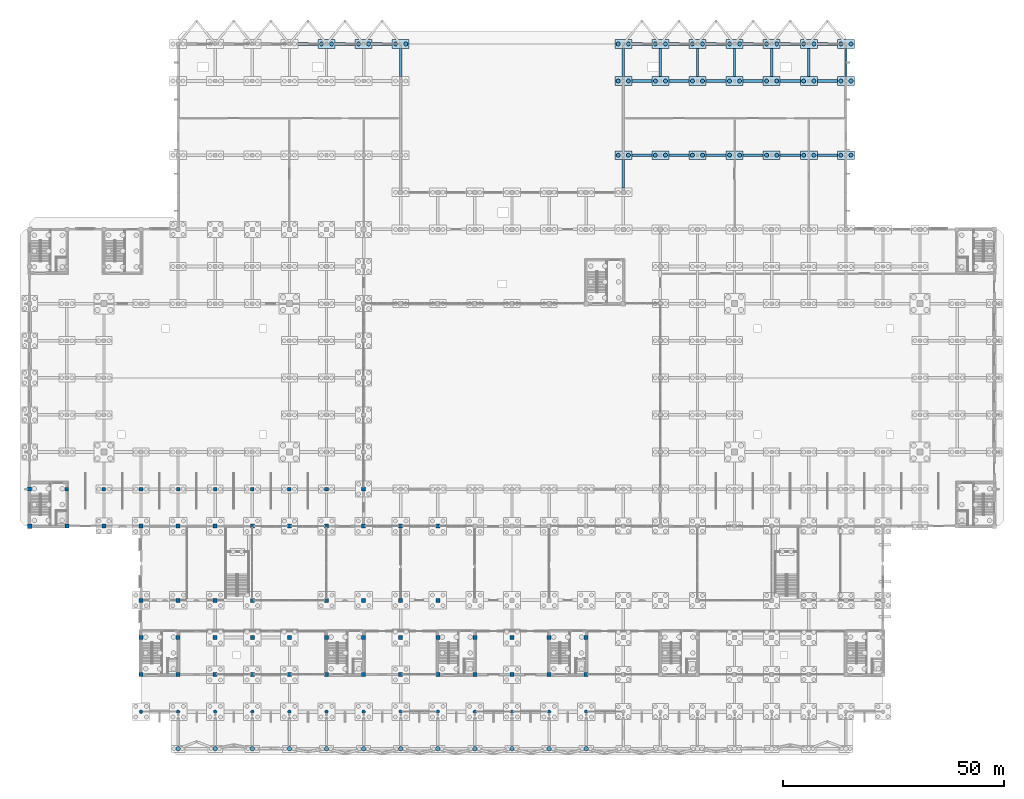
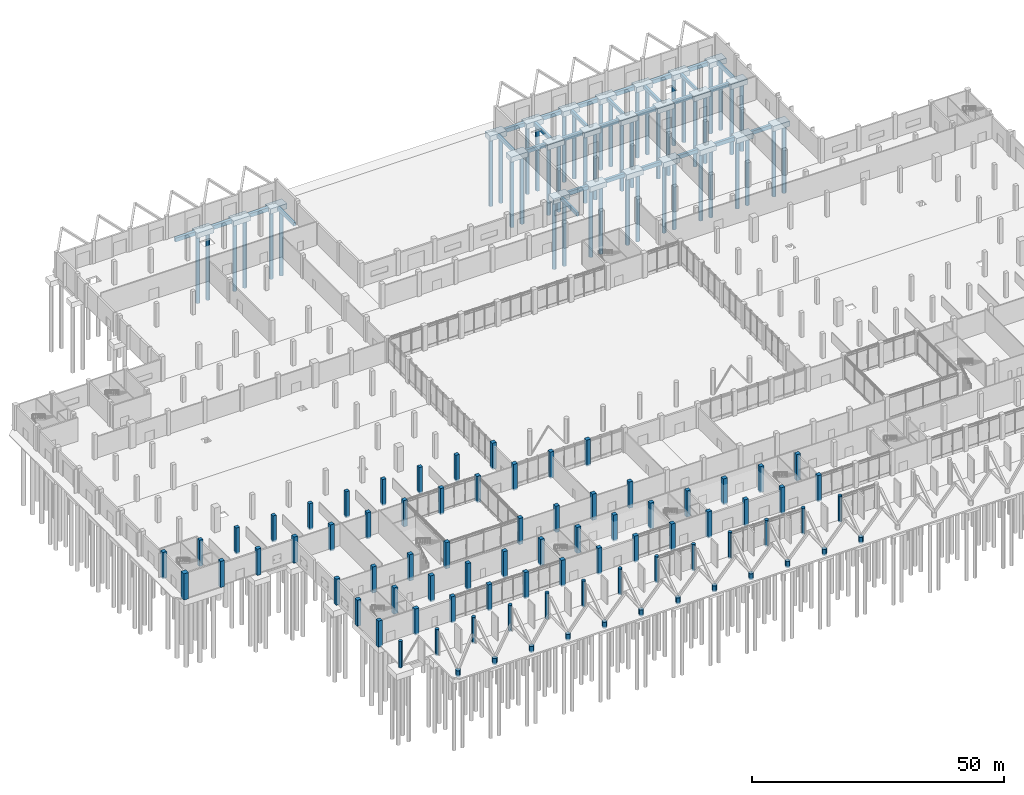
# One storey, part 12 of 72: 81 columns, 54 footings, 48 piles.
"""IFC4 building model written with IfcOpenShell, lengths in metres."""

from ifc_helpers import new_model, si_unit, direction, frame, origin, origin_2d, place, context, subcontext, project, spatial, rectangle, circle, extrude, material, layer, layer_set, material_profile, profile_set, type_object, element, save


model = new_model("IFC4")

# Units and contexts
model_context = context("Model", 3, precision=1e-05, world=origin(), true_north=direction((0.0, 1.0)))
body_context = subcontext(model_context, "Body", "Model", "MODEL_VIEW")
ifc_project = project(units=[si_unit("LENGTHUNIT", "METRE"), si_unit("AREAUNIT", "SQUARE_METRE"), si_unit("VOLUMEUNIT", "CUBIC_METRE"), si_unit("PLANEANGLEUNIT", "RADIAN"), si_unit("MASSUNIT", "GRAM", prefix="KILO")], contexts=[model_context])

# Site, building, storey
site_placement = place(None, origin())
site = spatial("IfcSite", under=ifc_project, at=site_placement, CompositionType="ELEMENT")
building_placement = place(site_placement, origin())
building = spatial("IfcBuilding", under=site, at=building_placement, Name="Qawsi Khor Wholesale Market", CompositionType="ELEMENT")
storey_placement = place(building_placement, origin())
storey = spatial("IfcBuildingStorey", under=building, at=storey_placement, Name="L00", CompositionType="ELEMENT", Elevation=0.0)

# Piles
ifc_material_1 = material(Name="Concrete C45/55", Category="concrete")
ifc_material_profile_1 = material_profile(ifc_material_1, circle(Radius=0.449951171875, at=origin_2d()), Name="PILE D900")
ifc_profile_set_1 = profile_set([ifc_material_profile_1], Name="Concrete C45/55")
pile_type = type_object("IfcPileType", Name="Bored Pile D900 C45/55", PredefinedType="BORED", material=ifc_profile_set_1)
for number, where, z_axis, x_axis, name in (
    (1, (66.050048828125, 151.199951171875, -1.5), (0.0, 0.0, -1.0), (1.0, 0.0, 0.0), "Bored pile 08_+18-1"),
    (2, (68.35009765625, 151.199951171875, -1.5), (0.0, 0.0, -1.0), (1.0, 0.0, 0.0), "Bored pile 08_+18-2"),
    (3, (74.449951171875, 151.199951171875, -1.5), (0.0, 0.0, -1.0), (1.0, 0.0, 0.0), "Bored pile 09_+18-1"),
    (4, (76.75, 151.199951171875, -1.5), (0.0, 0.0, -1.0), (1.0, 0.0, 0.0), "Bored pile 09_+18-2"),
    (5, (82.85009765625, 151.199951171875, -1.5), (0.0, 0.0, -1.0), (1.0, 0.0, 0.0), "Bored pile 10_+18-1"),
    (6, (85.14990234375, 151.199951171875, -1.5), (0.0, 0.0, -1.0), (1.0, 0.0, 0.0), "Bored pile 10_+18-2"),
    (7, (133.25, 126.0, -1.5), (0.0, 0.0, -1.0), (1.0, 0.0, 0.0), "Bored pile 16_+15-1"),
    (8, (135.550048828125, 126.0, -1.5), (0.0, 0.0, -1.0), (1.0, 0.0, 0.0), "Bored pile 16_+15-2"),
    (9, (133.25, 142.800048828125, -1.5), (0.0, 0.0, -1.0), (1.0, 0.0, 0.0), "Bored pile 16_+17-1"),
    (10, (135.550048828125, 142.800048828125, -1.5), (0.0, 0.0, -1.0), (1.0, 0.0, 0.0), "Bored pile 16_+17-2"),
    (11, (133.25, 151.199951171875, -1.5), (0.0, 0.0, -1.0), (1.0, 0.0, 0.0), "Bored pile 16_+18-1"),
    (12, (135.550048828125, 151.199951171875, -1.5), (0.0, 0.0, -1.0), (1.0, 0.0, 0.0), "Bored pile 16_+18-2"),
    (13, (141.64990234375, 126.0, -1.5), (0.0, 0.0, -1.0), (1.0, 0.0, 0.0), "Bored pile 17_+15-1"),
    (14, (143.949951171875, 126.0, -1.5), (0.0, 0.0, -1.0), (1.0, 0.0, 0.0), "Bored pile 17_+15-2"),
    (15, (141.64990234375, 142.800048828125, -1.5), (0.0, 0.0, -1.0), (1.0, 0.0, 0.0), "Bored pile 17_+17-1"),
    (16, (143.949951171875, 142.800048828125, -1.5), (0.0, 0.0, -1.0), (1.0, 0.0, 0.0), "Bored pile 17_+17-2"),
    (17, (141.64990234375, 151.199951171875, -1.5), (0.0, 0.0, -1.0), (1.0, 0.0, 0.0), "Bored pile 17_+18-1"),
    (18, (143.949951171875, 151.199951171875, -1.5), (0.0, 0.0, -1.0), (1.0, 0.0, 0.0), "Bored pile 17_+18-2"),
    (19, (150.050048828125, 126.0, -1.5), (0.0, 0.0, -1.0), (1.0, 0.0, 0.0), "Bored pile 18_+15-1"),
    (20, (152.35009765625, 126.0, -1.5), (0.0, 0.0, -1.0), (1.0, 0.0, 0.0), "Bored pile 18_+15-2"),
    (21, (150.050048828125, 142.800048828125, -1.5), (0.0, 0.0, -1.0), (1.0, 0.0, 0.0), "Bored pile 18_+17-1"),
    (22, (152.35009765625, 142.800048828125, -1.5), (0.0, 0.0, -1.0), (1.0, 0.0, 0.0), "Bored pile 18_+17-2"),
    (23, (150.050048828125, 151.199951171875, -1.5), (0.0, 0.0, -1.0), (1.0, 0.0, 0.0), "Bored pile 18_+18-1"),
    (24, (152.35009765625, 151.199951171875, -1.5), (0.0, 0.0, -1.0), (1.0, 0.0, 0.0), "Bored pile 18_+18-2"),
    (25, (158.449951171875, 126.0, -1.5), (0.0, 0.0, -1.0), (1.0, 0.0, 0.0), "Bored pile 19_+15-1"),
    (26, (160.75, 126.0, -1.5), (0.0, 0.0, -1.0), (1.0, 0.0, 0.0), "Bored pile 19_+15-2"),
    (27, (158.449951171875, 142.800048828125, -1.5), (0.0, 0.0, -1.0), (1.0, 0.0, 0.0), "Bored pile 19_+17-1"),
    (28, (160.75, 142.800048828125, -1.5), (0.0, 0.0, -1.0), (1.0, 0.0, 0.0), "Bored pile 19_+17-2"),
    (29, (158.449951171875, 151.199951171875, -1.5), (0.0, 0.0, -1.0), (1.0, 0.0, 0.0), "Bored pile 19_+18-1"),
    (30, (160.75, 151.199951171875, -1.5), (0.0, 0.0, -1.0), (1.0, 0.0, 0.0), "Bored pile 19_+18-2"),
    (31, (166.85009765625, 126.0, -1.5), (0.0, 0.0, -1.0), (1.0, 0.0, 0.0), "Bored pile 20_+15-1"),
    (32, (169.14990234375, 126.0, -1.5), (0.0, 0.0, -1.0), (1.0, 0.0, 0.0), "Bored pile 20_+15-2"),
    (33, (166.85009765625, 142.800048828125, -1.5), (0.0, 0.0, -1.0), (1.0, 0.0, 0.0), "Bored pile 20_+17-1"),
    (34, (169.14990234375, 142.800048828125, -1.5), (0.0, 0.0, -1.0), (1.0, 0.0, 0.0), "Bored pile 20_+17-2"),
    (35, (166.85009765625, 151.199951171875, -1.5), (0.0, 0.0, -1.0), (1.0, 0.0, 0.0), "Bored pile 20_+18-1"),
    (36, (169.14990234375, 151.199951171875, -1.5), (0.0, 0.0, -1.0), (1.0, 0.0, 0.0), "Bored pile 20_+18-2"),
    (37, (175.25, 126.0, -1.5), (0.0, 0.0, -1.0), (1.0, 0.0, 0.0), "Bored pile 21_+15-1"),
    (38, (177.550048828125, 126.0, -1.5), (0.0, 0.0, -1.0), (1.0, 0.0, 0.0), "Bored pile 21_+15-2"),
    (39, (175.25, 142.800048828125, -1.5), (0.0, 0.0, -1.0), (1.0, 0.0, 0.0), "Bored pile 21_+17-1"),
    (40, (177.550048828125, 142.800048828125, -1.5), (0.0, 0.0, -1.0), (1.0, 0.0, 0.0), "Bored pile 21_+17-2"),
    (41, (175.25, 151.199951171875, -1.5), (0.0, 0.0, -1.0), (1.0, 0.0, 0.0), "Bored pile 21_+18-1"),
    (42, (177.550048828125, 151.199951171875, -1.5), (0.0, 0.0, -1.0), (1.0, 0.0, 0.0), "Bored pile 21_+18-2"),
    (43, (183.64990234375, 126.0, -1.5), (0.0, 0.0, -1.0), (1.0, 0.0, 0.0), "Bored pile 22_+15-1"),
    (44, (185.949951171875, 126.0, -1.5), (0.0, 0.0, -1.0), (1.0, 0.0, 0.0), "Bored pile 22_+15-2"),
    (45, (183.64990234375, 142.800048828125, -1.5), (0.0, 0.0, -1.0), (1.0, 0.0, 0.0), "Bored pile 22_+17-1"),
    (46, (185.949951171875, 142.800048828125, -1.5), (0.0, 0.0, -1.0), (1.0, 0.0, 0.0), "Bored pile 22_+17-2"),
    (47, (183.64990234375, 151.199951171875, -1.5), (0.0, 0.0, -1.0), (1.0, 0.0, 0.0), "Bored pile 22_+18-1"),
    (48, (185.949951171875, 151.199951171875, -1.5), (0.0, 0.0, -1.0), (1.0, 0.0, 0.0), "Bored pile 22_+18-2"),
):
    element("IfcPile", number, at=place(storey_placement, frame(where, z_axis=z_axis, x_axis=x_axis)), inside=storey, type_object=pile_type, Name=name, PredefinedType="BORED", context=body_context, shape_type="SweptSolid", body=[
        extrude(circle(Radius=0.449951171875, at=origin_2d()), origin(), (0.0, 0.0, 1.0), 16.5),
    ])

# Footings
ifc_material_profile_2 = material_profile(ifc_material_1, rectangle(XDim=0.64990234375, YDim=0.949951171875, at=origin_2d()), Name="RC 650x950")
ifc_profile_set_2 = profile_set([ifc_material_profile_2], Name="Concrete C45/55")
footing_type_1 = type_object("IfcFootingType", Name="Cold-Store Strip Footing SF 650x950", PredefinedType="STRIP_FOOTING", material=ifc_profile_set_2)
footing_1_placement = place(storey_placement, frame((60.72509765625, 151.199951171875, -0.864990234375), z_axis=(1.0, 0.0, 0.0), x_axis=(0.0, 1.0, 0.0)))
element("IfcFooting", 49, at=footing_1_placement, inside=storey, type_object=footing_type_1, Name="Ground tie-beam X 7-8 at Y=151.2", PredefinedType="STRIP_FOOTING", context=body_context, shape_type="SweptSolid", body=[
    extrude(rectangle(XDim=0.64990234375, YDim=0.949951171875, at=origin_2d()), origin(), (0.0, 0.0, 1.0), 4.5498046875),
])
for number, where, z_axis, x_axis, name in (
    (50, (69.125, 151.199951171875, -0.864990234375), (1.0, 0.0, 0.0), (0.0, 1.0, 0.0), "Ground tie-beam X 8-9 at Y=151.2"),
    (51, (77.52490234375, 151.199951171875, -0.864990234375), (1.0, 0.0, 0.0), (0.0, 1.0, 0.0), "Ground tie-beam X 9-10 at Y=151.2"),
    (52, (136.324951171875, 151.199951171875, -0.864990234375), (1.0, 0.0, 0.0), (0.0, 1.0, 0.0), "Ground tie-beam X 16-17 at Y=151.2"),
):
    element("IfcFooting", number, at=place(storey_placement, frame(where, z_axis=z_axis, x_axis=x_axis)), inside=storey, type_object=footing_type_1, Name=name, PredefinedType="STRIP_FOOTING", context=body_context, shape_type="SweptSolid", body=[
        extrude(rectangle(XDim=0.64990234375, YDim=0.949951171875, at=origin_2d()), origin(), (0.0, 0.0, 1.0), 4.550048828125),
    ])
footing_2_placement = place(storey_placement, frame((144.72509765625, 151.199951171875, -0.864990234375), z_axis=(1.0, 0.0, 0.0), x_axis=(0.0, 1.0, 0.0)))
element("IfcFooting", 53, at=footing_2_placement, inside=storey, type_object=footing_type_1, Name="Ground tie-beam X 17-18 at Y=151.2", PredefinedType="STRIP_FOOTING", context=body_context, shape_type="SweptSolid", body=[
    extrude(rectangle(XDim=0.64990234375, YDim=0.949951171875, at=origin_2d()), origin(), (0.0, 0.0, 1.0), 4.5498046875),
])
for number, where, z_axis, x_axis, name in (
    (54, (153.125, 151.199951171875, -0.864990234375), (1.0, 0.0, 0.0), (0.0, 1.0, 0.0), "Ground tie-beam X 18-19 at Y=151.2"),
    (55, (161.52490234375, 151.199951171875, -0.864990234375), (1.0, 0.0, 0.0), (0.0, 1.0, 0.0), "Ground tie-beam X 19-20 at Y=151.2"),
    (56, (169.925048828125, 151.199951171875, -0.864990234375), (1.0, 0.0, 0.0), (0.0, 1.0, 0.0), "Ground tie-beam X 20-21 at Y=151.2"),
    (57, (178.324951171875, 151.199951171875, -0.864990234375), (1.0, 0.0, 0.0), (0.0, 1.0, 0.0), "Ground tie-beam X 21-22 at Y=151.2"),
):
    element("IfcFooting", number, at=place(storey_placement, frame(where, z_axis=z_axis, x_axis=x_axis)), inside=storey, type_object=footing_type_1, Name=name, PredefinedType="STRIP_FOOTING", context=body_context, shape_type="SweptSolid", body=[
        extrude(rectangle(XDim=0.64990234375, YDim=0.949951171875, at=origin_2d()), origin(), (0.0, 0.0, 1.0), 4.550048828125),
    ])
ifc_material_profile_3 = material_profile(ifc_material_1, rectangle(XDim=0.60009765625, YDim=0.89990234375, at=origin_2d()), Name="RC 600x900")
ifc_profile_set_3 = profile_set([ifc_material_profile_3], Name="Concrete C45/55")
footing_type_2 = type_object("IfcFootingType", Name="Ground Tie-Beam GTB 600x900", PredefinedType="FOOTING_BEAM", material=ifc_profile_set_3)
for number, where, z_axis, x_axis, name in (
    (58, (136.324951171875, 126.0, -0.840087890625), (1.0, 0.0, 0.0), (0.0, 1.0, 0.0), "Ground tie-beam X 16-17 at Y=126.0"),
    (59, (136.324951171875, 142.800048828125, -0.840087890625), (1.0, 0.0, 0.0), (0.0, 1.0, 0.0), "Ground tie-beam X 16-17 at Y=142.8"),
):
    element("IfcFooting", number, at=place(storey_placement, frame(where, z_axis=z_axis, x_axis=x_axis)), inside=storey, type_object=footing_type_2, Name=name, PredefinedType="FOOTING_BEAM", context=body_context, shape_type="SweptSolid", body=[
        extrude(rectangle(XDim=0.60009765625, YDim=0.89990234375, at=origin_2d()), origin(), (0.0, 0.0, 1.0), 4.550048828125),
    ])
for number, where, z_axis, x_axis, name in (
    (60, (144.72509765625, 126.0, -0.840087890625), (1.0, 0.0, 0.0), (0.0, 1.0, 0.0), "Ground tie-beam X 17-18 at Y=126.0"),
    (61, (144.72509765625, 142.800048828125, -0.840087890625), (1.0, 0.0, 0.0), (0.0, 1.0, 0.0), "Ground tie-beam X 17-18 at Y=142.8"),
):
    element("IfcFooting", number, at=place(storey_placement, frame(where, z_axis=z_axis, x_axis=x_axis)), inside=storey, type_object=footing_type_2, Name=name, PredefinedType="FOOTING_BEAM", context=body_context, shape_type="SweptSolid", body=[
        extrude(rectangle(XDim=0.60009765625, YDim=0.89990234375, at=origin_2d()), origin(), (0.0, 0.0, 1.0), 4.5498046875),
    ])
for number, where, z_axis, x_axis, name in (
    (62, (153.125, 126.0, -0.840087890625), (1.0, 0.0, 0.0), (0.0, 1.0, 0.0), "Ground tie-beam X 18-19 at Y=126.0"),
    (63, (153.125, 142.800048828125, -0.840087890625), (1.0, 0.0, 0.0), (0.0, 1.0, 0.0), "Ground tie-beam X 18-19 at Y=142.8"),
    (64, (161.52490234375, 126.0, -0.840087890625), (1.0, 0.0, 0.0), (0.0, 1.0, 0.0), "Ground tie-beam X 19-20 at Y=126.0"),
    (65, (161.52490234375, 142.800048828125, -0.840087890625), (1.0, 0.0, 0.0), (0.0, 1.0, 0.0), "Ground tie-beam X 19-20 at Y=142.8"),
    (66, (169.925048828125, 126.0, -0.840087890625), (1.0, 0.0, 0.0), (0.0, 1.0, 0.0), "Ground tie-beam X 20-21 at Y=126.0"),
    (67, (169.925048828125, 142.800048828125, -0.840087890625), (1.0, 0.0, 0.0), (0.0, 1.0, 0.0), "Ground tie-beam X 20-21 at Y=142.8"),
    (68, (178.324951171875, 126.0, -0.840087890625), (1.0, 0.0, 0.0), (0.0, 1.0, 0.0), "Ground tie-beam X 21-22 at Y=126.0"),
    (69, (178.324951171875, 142.800048828125, -0.840087890625), (1.0, 0.0, 0.0), (0.0, 1.0, 0.0), "Ground tie-beam X 21-22 at Y=142.8"),
):
    element("IfcFooting", number, at=place(storey_placement, frame(where, z_axis=z_axis, x_axis=x_axis)), inside=storey, type_object=footing_type_2, Name=name, PredefinedType="FOOTING_BEAM", context=body_context, shape_type="SweptSolid", body=[
        extrude(rectangle(XDim=0.60009765625, YDim=0.89990234375, at=origin_2d()), origin(), (0.0, 0.0, 1.0), 4.550048828125),
    ])
ifc_material_profile_4 = material_profile(ifc_material_1, rectangle(XDim=0.5, YDim=0.800048828125, at=origin_2d()), Name="RC 500x800")
ifc_profile_set_4 = profile_set([ifc_material_profile_4], Name="Concrete C45/55")
footing_type_3 = type_object("IfcFootingType", Name="Hall Tie-Beam GTB 500x800", PredefinedType="FOOTING_BEAM", material=ifc_profile_set_4)
for number, where, z_axis, x_axis, name in (
    (70, (151.199951171875, 143.800048828125, -0.7900390625), (0.0, 1.0, 0.0), (-1.0, 0.0, 0.0), "Ground tie-beam Y 17-18 at X=151.2"),
    (71, (159.60009765625, 143.800048828125, -0.7900390625), (0.0, 1.0, 0.0), (-1.0, 0.0, 0.0), "Ground tie-beam Y 17-18 at X=159.6"),
    (72, (168.0, 143.800048828125, -0.7900390625), (0.0, 1.0, 0.0), (-1.0, 0.0, 0.0), "Ground tie-beam Y 17-18 at X=168.0"),
    (73, (176.39990234375, 143.800048828125, -0.7900390625), (0.0, 1.0, 0.0), (-1.0, 0.0, 0.0), "Ground tie-beam Y 17-18 at X=176.4"),
    (74, (184.800048828125, 143.800048828125, -0.7900390625), (0.0, 1.0, 0.0), (-1.0, 0.0, 0.0), "Ground tie-beam Y 17-18 at X=184.8"),
):
    element("IfcFooting", number, at=place(storey_placement, frame(where, z_axis=z_axis, x_axis=x_axis)), inside=storey, type_object=footing_type_3, Name=name, PredefinedType="FOOTING_BEAM", context=body_context, shape_type="SweptSolid", body=[
        extrude(rectangle(XDim=0.5, YDim=0.800048828125, at=origin_2d()), origin(), (0.0, 0.0, 1.0), 6.39990234375),
    ])
ifc_material_profile_5 = material_profile(ifc_material_1, rectangle(XDim=0.550048828125, YDim=0.85009765625, at=origin_2d()), Name="RC 550x850")
ifc_profile_set_5 = profile_set([ifc_material_profile_5], Name="Concrete C45/55")
footing_type_4 = type_object("IfcFootingType", Name="Internal Tie-Beam GTB 550x850", PredefinedType="FOOTING_BEAM", material=ifc_profile_set_5)
for number, where, z_axis, x_axis, name in (
    (75, (84.0, 143.800048828125, -0.81494140625), (0.0, 1.0, 0.0), (-1.0, 0.0, 0.0), "Ground tie-beam Y 17-18 at X=84.0"),
    (76, (134.39990234375, 118.60009765625, -0.81494140625), (0.0, 1.0, 0.0), (-1.0, 0.0, 0.0), "Ground tie-beam Y 14-15 at X=134.4"),
    (77, (134.39990234375, 143.800048828125, -0.81494140625), (0.0, 1.0, 0.0), (-1.0, 0.0, 0.0), "Ground tie-beam Y 17-18 at X=134.4"),
    (78, (142.800048828125, 143.800048828125, -0.81494140625), (0.0, 1.0, 0.0), (-1.0, 0.0, 0.0), "Ground tie-beam Y 17-18 at X=142.8"),
):
    element("IfcFooting", number, at=place(storey_placement, frame(where, z_axis=z_axis, x_axis=x_axis)), inside=storey, type_object=footing_type_4, Name=name, PredefinedType="FOOTING_BEAM", context=body_context, shape_type="SweptSolid", body=[
        extrude(rectangle(XDim=0.550048828125, YDim=0.85009765625, at=origin_2d()), origin(), (0.0, 0.0, 1.0), 6.39990234375),
    ])
ifc_layer = layer(ifc_material_1, 1.25, Name="Concrete C45/55")
ifc_layer_set = layer_set([ifc_layer], Name="Concrete C45/55")
footing_type_5 = type_object("IfcFootingType", Name="Pile Cap PC-2H 3850x2000x1250", PredefinedType="PILE_CAP", material=ifc_layer_set)
for number, where, z_axis, x_axis, name in (
    (79, (67.199951171875, 151.199951171875, -1.610107421875), (0.0, 0.0, 1.0), (1.0, 0.0, 0.0), "Two-pile cap 08_+18"),
    (80, (75.60009765625, 151.199951171875, -1.610107421875), (0.0, 0.0, 1.0), (1.0, 0.0, 0.0), "Two-pile cap 09_+18"),
    (81, (84.0, 151.199951171875, -1.610107421875), (0.0, 0.0, 1.0), (1.0, 0.0, 0.0), "Two-pile cap 10_+18"),
    (82, (134.39990234375, 126.0, -1.610107421875), (0.0, 0.0, 1.0), (1.0, 0.0, 0.0), "Two-pile cap 16_+15"),
    (83, (134.39990234375, 142.800048828125, -1.610107421875), (0.0, 0.0, 1.0), (1.0, 0.0, 0.0), "Two-pile cap 16_+17"),
    (84, (134.39990234375, 151.199951171875, -1.610107421875), (0.0, 0.0, 1.0), (1.0, 0.0, 0.0), "Two-pile cap 16_+18"),
    (85, (142.800048828125, 126.0, -1.610107421875), (0.0, 0.0, 1.0), (1.0, 0.0, 0.0), "Two-pile cap 17_+15"),
    (86, (142.800048828125, 142.800048828125, -1.610107421875), (0.0, 0.0, 1.0), (1.0, 0.0, 0.0), "Two-pile cap 17_+17"),
    (87, (142.800048828125, 151.199951171875, -1.610107421875), (0.0, 0.0, 1.0), (1.0, 0.0, 0.0), "Two-pile cap 17_+18"),
    (88, (151.199951171875, 126.0, -1.610107421875), (0.0, 0.0, 1.0), (1.0, 0.0, 0.0), "Two-pile cap 18_+15"),
    (89, (151.199951171875, 142.800048828125, -1.610107421875), (0.0, 0.0, 1.0), (1.0, 0.0, 0.0), "Two-pile cap 18_+17"),
    (90, (151.199951171875, 151.199951171875, -1.610107421875), (0.0, 0.0, 1.0), (1.0, 0.0, 0.0), "Two-pile cap 18_+18"),
    (91, (159.60009765625, 126.0, -1.610107421875), (0.0, 0.0, 1.0), (1.0, 0.0, 0.0), "Two-pile cap 19_+15"),
    (92, (159.60009765625, 142.800048828125, -1.610107421875), (0.0, 0.0, 1.0), (1.0, 0.0, 0.0), "Two-pile cap 19_+17"),
    (93, (159.60009765625, 151.199951171875, -1.610107421875), (0.0, 0.0, 1.0), (1.0, 0.0, 0.0), "Two-pile cap 19_+18"),
    (94, (168.0, 126.0, -1.610107421875), (0.0, 0.0, 1.0), (1.0, 0.0, 0.0), "Two-pile cap 20_+15"),
    (95, (168.0, 142.800048828125, -1.610107421875), (0.0, 0.0, 1.0), (1.0, 0.0, 0.0), "Two-pile cap 20_+17"),
    (96, (168.0, 151.199951171875, -1.610107421875), (0.0, 0.0, 1.0), (1.0, 0.0, 0.0), "Two-pile cap 20_+18"),
    (97, (176.39990234375, 126.0, -1.610107421875), (0.0, 0.0, 1.0), (1.0, 0.0, 0.0), "Two-pile cap 21_+15"),
    (98, (176.39990234375, 142.800048828125, -1.610107421875), (0.0, 0.0, 1.0), (1.0, 0.0, 0.0), "Two-pile cap 21_+17"),
    (99, (176.39990234375, 151.199951171875, -1.610107421875), (0.0, 0.0, 1.0), (1.0, 0.0, 0.0), "Two-pile cap 21_+18"),
    (100, (184.800048828125, 126.0, -1.610107421875), (0.0, 0.0, 1.0), (1.0, 0.0, 0.0), "Two-pile cap 22_+15"),
    (101, (184.800048828125, 142.800048828125, -1.610107421875), (0.0, 0.0, 1.0), (1.0, 0.0, 0.0), "Two-pile cap 22_+17"),
    (102, (184.800048828125, 151.199951171875, -1.610107421875), (0.0, 0.0, 1.0), (1.0, 0.0, 0.0), "Two-pile cap 22_+18"),
):
    element("IfcFooting", number, at=place(storey_placement, frame(where, z_axis=z_axis, x_axis=x_axis)), inside=storey, type_object=footing_type_5, Name=name, PredefinedType="PILE_CAP", context=body_context, shape_type="SweptSolid", body=[
        extrude(rectangle(XDim=3.85009765625, YDim=2.0, at=origin_2d()), origin(), (0.0, 0.0, 1.0), 1.25),
    ])

# Columns
ifc_material_2 = material(Name="Concrete C40/50", Category="concrete")
ifc_material_profile_6 = material_profile(ifc_material_2, circle(Radius=0.39990234375, at=origin_2d()), Name="RC COL D800")
ifc_profile_set_6 = profile_set([ifc_material_profile_6], Name="Concrete C40/50")
column_type_1 = type_object("IfcColumnType", Name="Arcade Pier D800", PredefinedType="COLUMN", material=ifc_profile_set_6)
for number, where, z_axis, x_axis, name in (
    (103, (25.199951171875, 0.0, -0.360107421875), (0.0, 0.0, 1.0), (1.0, 0.0, 0.0), "Arcade Pier D800 L00 (3,0)"),
    (104, (33.60009765625, 0.0, -0.360107421875), (0.0, 0.0, 1.0), (1.0, 0.0, 0.0), "Arcade Pier D800 L00 (4,0)"),
    (105, (42.0, 0.0, -0.360107421875), (0.0, 0.0, 1.0), (1.0, 0.0, 0.0), "Arcade Pier D800 L00 (5,0)"),
    (106, (50.39990234375, 0.0, -0.360107421875), (0.0, 0.0, 1.0), (1.0, 0.0, 0.0), "Arcade Pier D800 L00 (6,0)"),
    (107, (58.800048828125, 0.0, -0.360107421875), (0.0, 0.0, 1.0), (1.0, 0.0, 0.0), "Arcade Pier D800 L00 (7,0)"),
    (108, (67.199951171875, 0.0, -0.360107421875), (0.0, 0.0, 1.0), (1.0, 0.0, 0.0), "Arcade Pier D800 L00 (8,0)"),
    (109, (75.60009765625, 0.0, -0.360107421875), (0.0, 0.0, 1.0), (1.0, 0.0, 0.0), "Arcade Pier D800 L00 (9,0)"),
    (110, (84.0, 0.0, -0.360107421875), (0.0, 0.0, 1.0), (1.0, 0.0, 0.0), "Arcade Pier D800 L00 (10,0)"),
    (111, (92.39990234375, 0.0, -0.360107421875), (0.0, 0.0, 1.0), (1.0, 0.0, 0.0), "Arcade Pier D800 L00 (11,0)"),
    (112, (100.800048828125, 0.0, -0.360107421875), (0.0, 0.0, 1.0), (1.0, 0.0, 0.0), "Arcade Pier D800 L00 (12,0)"),
    (113, (109.199951171875, 0.0, -0.360107421875), (0.0, 0.0, 1.0), (1.0, 0.0, 0.0), "Arcade Pier D800 L00 (13,0)"),
    (114, (117.60009765625, 0.0, -0.360107421875), (0.0, 0.0, 1.0), (1.0, 0.0, 0.0), "Arcade Pier D800 L00 (14,0)"),
    (115, (126.0, 0.0, -0.360107421875), (0.0, 0.0, 1.0), (1.0, 0.0, 0.0), "Arcade Pier D800 L00 (15,0)"),
):
    element("IfcColumn", number, at=place(storey_placement, frame(where, z_axis=z_axis, x_axis=x_axis)), inside=storey, type_object=column_type_1, Name=name, PredefinedType="COLUMN", context=body_context, shape_type="SweptSolid", body=[
        extrude(circle(Radius=0.39990234375, at=origin_2d()), origin(), (0.0, 0.0, 1.0), 6.360107421875),
    ])
ifc_material_profile_7 = material_profile(ifc_material_2, rectangle(XDim=1.10009765625, YDim=1.10009765625, at=origin_2d()), Name="RC 1100x1100")
ifc_profile_set_7 = profile_set([ifc_material_profile_7], Name="Concrete C40/50")
column_type_2 = type_object("IfcColumnType", Name="Column RC 1100x1100", PredefinedType="COLUMN", material=ifc_profile_set_7)
column_placement = place(storey_placement, frame((0.0, 42.0, -0.360107421875), z_axis=(0.0, 0.0, 1.0), x_axis=(1.0, 0.0, 0.0)))
element("IfcColumn", 116, at=column_placement, inside=storey, type_object=column_type_2, Name="Column RC 1100x1100 L00 (0,5)", PredefinedType="COLUMN", context=body_context, shape_type="SweptSolid", body=[
    extrude(rectangle(XDim=1.10009765625, YDim=1.10009765625, at=origin_2d()), origin(), (0.0, 0.0, 1.0), 6.360107421875),
])
ifc_material_profile_8 = material_profile(ifc_material_2, rectangle(XDim=0.800048828125, YDim=0.800048828125, at=origin_2d()), Name="RC 800x800")
ifc_profile_set_8 = profile_set([ifc_material_profile_8], Name="Concrete C40/50")
column_type_3 = type_object("IfcColumnType", Name="Column RC 800x800", PredefinedType="COLUMN", material=ifc_profile_set_8)
for number, where, z_axis, x_axis, name in (
    (117, (8.39990234375, 50.39990234375, -0.360107421875), (0.0, 0.0, 1.0), (1.0, 0.0, 0.0), "Column RC 800x800 L00 (1,6)"),
    (118, (16.800048828125, 50.39990234375, -0.360107421875), (0.0, 0.0, 1.0), (1.0, 0.0, 0.0), "Column RC 800x800 L00 (2,6)"),
    (119, (25.199951171875, 50.39990234375, -0.360107421875), (0.0, 0.0, 1.0), (1.0, 0.0, 0.0), "Column RC 800x800 L00 (3,6)"),
    (120, (33.60009765625, 50.39990234375, -0.360107421875), (0.0, 0.0, 1.0), (1.0, 0.0, 0.0), "Column RC 800x800 L00 (4,6)"),
    (121, (42.0, 50.39990234375, -0.360107421875), (0.0, 0.0, 1.0), (1.0, 0.0, 0.0), "Column RC 800x800 L00 (5,6)"),
    (122, (50.39990234375, 50.39990234375, -0.360107421875), (0.0, 0.0, 1.0), (1.0, 0.0, 0.0), "Column RC 800x800 L00 (6,6)"),
    (123, (58.800048828125, 50.39990234375, -0.360107421875), (0.0, 0.0, 1.0), (1.0, 0.0, 0.0), "Column RC 800x800 L00 (7,6)"),
    (124, (67.199951171875, 50.39990234375, -0.360107421875), (0.0, 0.0, 1.0), (1.0, 0.0, 0.0), "Column RC 800x800 L00 (8,6)"),
):
    element("IfcColumn", number, at=place(storey_placement, frame(where, z_axis=z_axis, x_axis=x_axis)), inside=storey, type_object=column_type_3, Name=name, PredefinedType="COLUMN", context=body_context, shape_type="SweptSolid", body=[
        extrude(rectangle(XDim=0.800048828125, YDim=0.800048828125, at=origin_2d()), origin(), (0.0, 0.0, 1.0), 6.360107421875),
    ])
ifc_material_profile_9 = material_profile(ifc_material_2, rectangle(XDim=0.89990234375, YDim=0.89990234375, at=origin_2d()), Name="RC 900x900")
ifc_profile_set_9 = profile_set([ifc_material_profile_9], Name="Concrete C40/50")
column_type_4 = type_object("IfcColumnType", Name="Column RC 900x900", PredefinedType="COLUMN", material=ifc_profile_set_9)
for number, where, z_axis, x_axis, name in (
    (125, (0.0, 50.39990234375, -0.360107421875), (0.0, 0.0, 1.0), (1.0, 0.0, 0.0), "Column RC 900x900 L00 (0,6)"),
    (126, (8.39990234375, 42.0, -0.360107421875), (0.0, 0.0, 1.0), (1.0, 0.0, 0.0), "Column RC 900x900 L00 (1,5)"),
    (127, (16.800048828125, 42.0, -0.360107421875), (0.0, 0.0, 1.0), (1.0, 0.0, 0.0), "Column RC 900x900 L00 (2,5)"),
    (128, (25.199951171875, 8.39990234375, -0.360107421875), (0.0, 0.0, 1.0), (1.0, 0.0, 0.0), "Column RC 900x900 L00 (3,1)"),
    (129, (25.199951171875, 16.800048828125, -0.360107421875), (0.0, 0.0, 1.0), (1.0, 0.0, 0.0), "Column RC 900x900 L00 (3,2)"),
    (130, (25.199951171875, 25.199951171875, -0.360107421875), (0.0, 0.0, 1.0), (1.0, 0.0, 0.0), "Column RC 900x900 L00 (3,3)"),
    (131, (25.199951171875, 42.0, -0.360107421875), (0.0, 0.0, 1.0), (1.0, 0.0, 0.0), "Column RC 900x900 L00 (3,5)"),
    (132, (33.60009765625, 8.39990234375, -0.360107421875), (0.0, 0.0, 1.0), (1.0, 0.0, 0.0), "Column RC 900x900 L00 (4,1)"),
    (133, (33.60009765625, 16.800048828125, -0.360107421875), (0.0, 0.0, 1.0), (1.0, 0.0, 0.0), "Column RC 900x900 L00 (4,2)"),
    (134, (33.60009765625, 25.199951171875, -0.360107421875), (0.0, 0.0, 1.0), (1.0, 0.0, 0.0), "Column RC 900x900 L00 (4,3)"),
    (135, (33.60009765625, 42.0, -0.360107421875), (0.0, 0.0, 1.0), (1.0, 0.0, 0.0), "Column RC 900x900 L00 (4,5)"),
    (136, (42.0, 8.39990234375, -0.360107421875), (0.0, 0.0, 1.0), (1.0, 0.0, 0.0), "Column RC 900x900 L00 (5,1)"),
    (137, (42.0, 16.800048828125, -0.360107421875), (0.0, 0.0, 1.0), (1.0, 0.0, 0.0), "Column RC 900x900 L00 (5,2)"),
    (138, (42.0, 25.199951171875, -0.360107421875), (0.0, 0.0, 1.0), (1.0, 0.0, 0.0), "Column RC 900x900 L00 (5,3)"),
    (139, (42.0, 42.0, -0.360107421875), (0.0, 0.0, 1.0), (1.0, 0.0, 0.0), "Column RC 900x900 L00 (5,5)"),
    (140, (50.39990234375, 8.39990234375, -0.360107421875), (0.0, 0.0, 1.0), (1.0, 0.0, 0.0), "Column RC 900x900 L00 (6,1)"),
    (141, (50.39990234375, 16.800048828125, -0.360107421875), (0.0, 0.0, 1.0), (1.0, 0.0, 0.0), "Column RC 900x900 L00 (6,2)"),
    (142, (50.39990234375, 25.199951171875, -0.360107421875), (0.0, 0.0, 1.0), (1.0, 0.0, 0.0), "Column RC 900x900 L00 (6,3)"),
    (143, (50.39990234375, 42.0, -0.360107421875), (0.0, 0.0, 1.0), (1.0, 0.0, 0.0), "Column RC 900x900 L00 (6,5)"),
    (144, (58.800048828125, 8.39990234375, -0.360107421875), (0.0, 0.0, 1.0), (1.0, 0.0, 0.0), "Column RC 900x900 L00 (7,1)"),
    (145, (58.800048828125, 16.800048828125, -0.360107421875), (0.0, 0.0, 1.0), (1.0, 0.0, 0.0), "Column RC 900x900 L00 (7,2)"),
    (146, (58.800048828125, 42.0, -0.360107421875), (0.0, 0.0, 1.0), (1.0, 0.0, 0.0), "Column RC 900x900 L00 (7,5)"),
    (147, (67.199951171875, 8.39990234375, -0.360107421875), (0.0, 0.0, 1.0), (1.0, 0.0, 0.0), "Column RC 900x900 L00 (8,1)"),
    (148, (67.199951171875, 16.800048828125, -0.360107421875), (0.0, 0.0, 1.0), (1.0, 0.0, 0.0), "Column RC 900x900 L00 (8,2)"),
    (149, (67.199951171875, 25.199951171875, -0.360107421875), (0.0, 0.0, 1.0), (1.0, 0.0, 0.0), "Column RC 900x900 L00 (8,3)"),
    (150, (67.199951171875, 42.0, -0.360107421875), (0.0, 0.0, 1.0), (1.0, 0.0, 0.0), "Column RC 900x900 L00 (8,5)"),
    (151, (75.60009765625, 8.39990234375, -0.360107421875), (0.0, 0.0, 1.0), (1.0, 0.0, 0.0), "Column RC 900x900 L00 (9,1)"),
    (152, (75.60009765625, 16.800048828125, -0.360107421875), (0.0, 0.0, 1.0), (1.0, 0.0, 0.0), "Column RC 900x900 L00 (9,2)"),
    (153, (75.60009765625, 25.199951171875, -0.360107421875), (0.0, 0.0, 1.0), (1.0, 0.0, 0.0), "Column RC 900x900 L00 (9,3)"),
    (154, (75.60009765625, 42.0, -0.360107421875), (0.0, 0.0, 1.0), (1.0, 0.0, 0.0), "Column RC 900x900 L00 (9,5)"),
    (155, (75.60009765625, 50.39990234375, -0.360107421875), (0.0, 0.0, 1.0), (1.0, 0.0, 0.0), "Column RC 900x900 L00 (9,6)"),
    (156, (84.0, 8.39990234375, -0.360107421875), (0.0, 0.0, 1.0), (1.0, 0.0, 0.0), "Column RC 900x900 L00 (10,1)"),
    (157, (84.0, 16.800048828125, -0.360107421875), (0.0, 0.0, 1.0), (1.0, 0.0, 0.0), "Column RC 900x900 L00 (10,2)"),
    (158, (84.0, 25.199951171875, -0.360107421875), (0.0, 0.0, 1.0), (1.0, 0.0, 0.0), "Column RC 900x900 L00 (10,3)"),
    (159, (84.0, 42.0, -0.360107421875), (0.0, 0.0, 1.0), (1.0, 0.0, 0.0), "Column RC 900x900 L00 (10,5)"),
    (160, (92.39990234375, 8.39990234375, -0.360107421875), (0.0, 0.0, 1.0), (1.0, 0.0, 0.0), "Column RC 900x900 L00 (11,1)"),
    (161, (92.39990234375, 16.800048828125, -0.360107421875), (0.0, 0.0, 1.0), (1.0, 0.0, 0.0), "Column RC 900x900 L00 (11,2)"),
    (162, (92.39990234375, 25.199951171875, -0.360107421875), (0.0, 0.0, 1.0), (1.0, 0.0, 0.0), "Column RC 900x900 L00 (11,3)"),
    (163, (92.39990234375, 42.0, -0.360107421875), (0.0, 0.0, 1.0), (1.0, 0.0, 0.0), "Column RC 900x900 L00 (11,5)"),
    (164, (100.800048828125, 8.39990234375, -0.360107421875), (0.0, 0.0, 1.0), (1.0, 0.0, 0.0), "Column RC 900x900 L00 (12,1)"),
    (165, (100.800048828125, 16.800048828125, -0.360107421875), (0.0, 0.0, 1.0), (1.0, 0.0, 0.0), "Column RC 900x900 L00 (12,2)"),
    (166, (109.199951171875, 8.39990234375, -0.360107421875), (0.0, 0.0, 1.0), (1.0, 0.0, 0.0), "Column RC 900x900 L00 (13,1)"),
    (167, (109.199951171875, 16.800048828125, -0.360107421875), (0.0, 0.0, 1.0), (1.0, 0.0, 0.0), "Column RC 900x900 L00 (13,2)"),
    (168, (117.60009765625, 8.39990234375, -0.360107421875), (0.0, 0.0, 1.0), (1.0, 0.0, 0.0), "Column RC 900x900 L00 (14,1)"),
    (169, (117.60009765625, 16.800048828125, -0.360107421875), (0.0, 0.0, 1.0), (1.0, 0.0, 0.0), "Column RC 900x900 L00 (14,2)"),
    (170, (126.0, 8.39990234375, -0.360107421875), (0.0, 0.0, 1.0), (1.0, 0.0, 0.0), "Column RC 900x900 L00 (15,1)"),
    (171, (126.0, 16.800048828125, -0.360107421875), (0.0, 0.0, 1.0), (1.0, 0.0, 0.0), "Column RC 900x900 L00 (15,2)"),
):
    element("IfcColumn", number, at=place(storey_placement, frame(where, z_axis=z_axis, x_axis=x_axis)), inside=storey, type_object=column_type_4, Name=name, PredefinedType="COLUMN", context=body_context, shape_type="SweptSolid", body=[
        extrude(rectangle(XDim=0.89990234375, YDim=0.89990234375, at=origin_2d()), origin(), (0.0, 0.0, 1.0), 6.360107421875),
    ])
ifc_material_profile_10 = material_profile(ifc_material_2, circle(Radius=0.5, at=origin_2d()), Name="RC COL D1000")
ifc_profile_set_10 = profile_set([ifc_material_profile_10], Name="Concrete C40/50")
column_type_5 = type_object("IfcColumnType", Name="Forecourt Pier D1000", PredefinedType="COLUMN", material=ifc_profile_set_10)
for number, where, z_axis, x_axis, name in (
    (172, (33.60009765625, -8.39990234375, -0.360107421875), (0.0, 0.0, 1.0), (1.0, 0.0, 0.0), "Forecourt Pier D1000 L00 (4,-1)"),
    (173, (42.0, -8.39990234375, -0.360107421875), (0.0, 0.0, 1.0), (1.0, 0.0, 0.0), "Forecourt Pier D1000 L00 (5,-1)"),
    (174, (50.39990234375, -8.39990234375, -0.360107421875), (0.0, 0.0, 1.0), (1.0, 0.0, 0.0), "Forecourt Pier D1000 L00 (6,-1)"),
    (175, (58.800048828125, -8.39990234375, -0.360107421875), (0.0, 0.0, 1.0), (1.0, 0.0, 0.0), "Forecourt Pier D1000 L00 (7,-1)"),
    (176, (67.199951171875, -8.39990234375, -0.360107421875), (0.0, 0.0, 1.0), (1.0, 0.0, 0.0), "Forecourt Pier D1000 L00 (8,-1)"),
    (177, (75.60009765625, -8.39990234375, -0.360107421875), (0.0, 0.0, 1.0), (1.0, 0.0, 0.0), "Forecourt Pier D1000 L00 (9,-1)"),
    (178, (84.0, -8.39990234375, -0.360107421875), (0.0, 0.0, 1.0), (1.0, 0.0, 0.0), "Forecourt Pier D1000 L00 (10,-1)"),
    (179, (92.39990234375, -8.39990234375, -0.360107421875), (0.0, 0.0, 1.0), (1.0, 0.0, 0.0), "Forecourt Pier D1000 L00 (11,-1)"),
    (180, (100.800048828125, -8.39990234375, -0.360107421875), (0.0, 0.0, 1.0), (1.0, 0.0, 0.0), "Forecourt Pier D1000 L00 (12,-1)"),
    (181, (109.199951171875, -8.39990234375, -0.360107421875), (0.0, 0.0, 1.0), (1.0, 0.0, 0.0), "Forecourt Pier D1000 L00 (13,-1)"),
    (182, (117.60009765625, -8.39990234375, -0.360107421875), (0.0, 0.0, 1.0), (1.0, 0.0, 0.0), "Forecourt Pier D1000 L00 (14,-1)"),
    (183, (126.0, -8.39990234375, -0.360107421875), (0.0, 0.0, 1.0), (1.0, 0.0, 0.0), "Forecourt Pier D1000 L00 (15,-1)"),
):
    element("IfcColumn", number, at=place(storey_placement, frame(where, z_axis=z_axis, x_axis=x_axis)), inside=storey, type_object=column_type_5, Name=name, PredefinedType="COLUMN", context=body_context, shape_type="SweptSolid", body=[
        extrude(circle(Radius=0.5, at=origin_2d()), origin(), (0.0, 0.0, 1.0), 1.510009765625),
    ])

save(model, "model.ifc")
